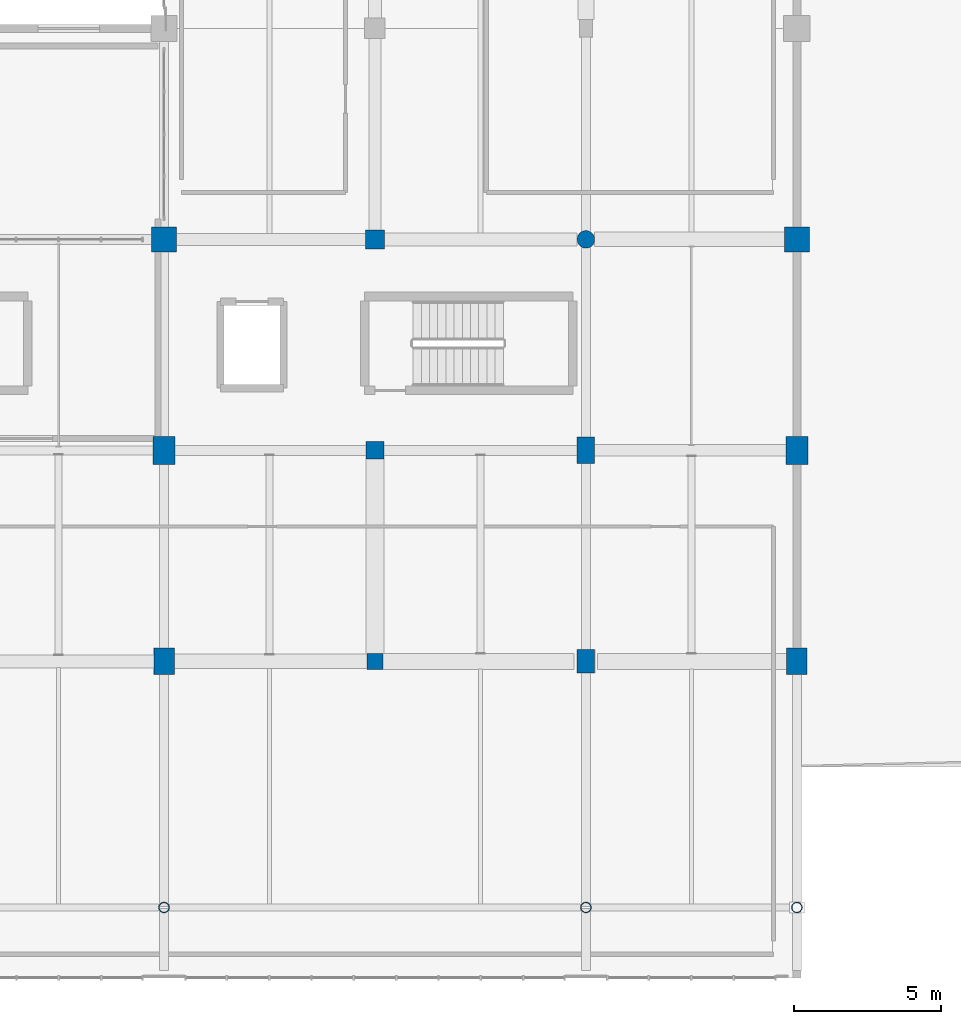
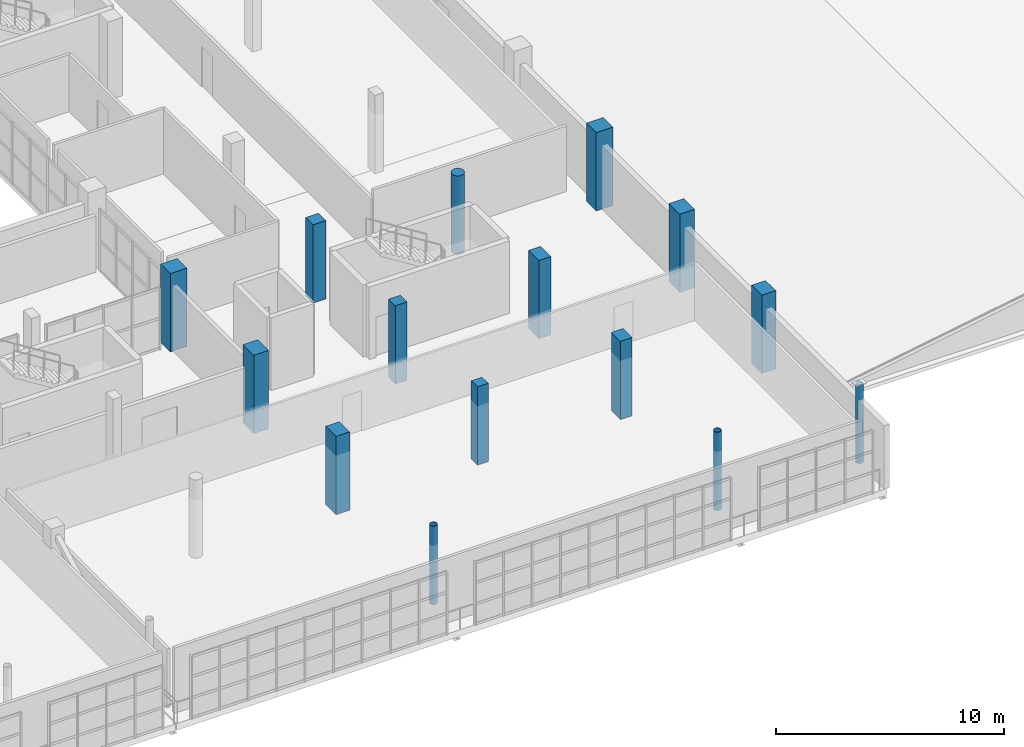
# One storey, part 10 of 90: 15 columns.
"""IFC4 building model written with IfcOpenShell, lengths in metres."""

from ifc_helpers import new_model, si_unit, direction, frame, origin, origin_2d, place, context, subcontext, project, spatial, rectangle, circle, hollow_circle, extrude, material, material_profile, profile_set, type_object, element, save


model = new_model("IFC4")

# Units and contexts
model_context = context("Model", 3, precision=1e-05, world=origin(), true_north=direction((0.0, 1.0)))
body_context = subcontext(model_context, "Body", "Model", "MODEL_VIEW")
ifc_project = project(units=[si_unit("LENGTHUNIT", "METRE"), si_unit("AREAUNIT", "SQUARE_METRE"), si_unit("VOLUMEUNIT", "CUBIC_METRE"), si_unit("PLANEANGLEUNIT", "RADIAN"), si_unit("MASSUNIT", "GRAM", prefix="KILO")], contexts=[model_context])

# Site, building, storey
site_placement = place(None, origin())
site = spatial("IfcSite", under=ifc_project, at=site_placement, CompositionType="ELEMENT")
building_placement = place(site_placement, origin())
building = spatial("IfcBuilding", under=site, at=building_placement, Name="Solanera Park Tramway Depot", CompositionType="ELEMENT")
storey_placement = place(building_placement, frame((0.0, 0.0, 9.0)))
storey = spatial("IfcBuildingStorey", under=building, at=storey_placement, Name="L02", CompositionType="ELEMENT", Elevation=9.0)

# Columns
ifc_material_1 = material(Name="Concrete N40 (C40/50)", Category="concrete")
ifc_material_profile_1 = material_profile(ifc_material_1, rectangle(XDim=0.550048828125, YDim=0.550048828125, at=origin_2d()), Name="RC 550x550")
ifc_profile_set_1 = profile_set([ifc_material_profile_1], Name="Concrete N40 (C40/50)")
column_type_1 = type_object("IfcColumnType", Name="RC Column Ext RC 550x550", PredefinedType="COLUMN", material=ifc_profile_set_1)
column_1_placement = place(storey_placement, frame((172.800048828125, 10.800048828125, 0.0), z_axis=(0.0, 0.0, 1.0), x_axis=(1.0, 0.0, 0.0)))
element("IfcColumn", 1, at=column_1_placement, inside=storey, type_object=column_type_1, Name="L02 Column V4-X1728-Y108", PredefinedType="COLUMN", context=body_context, shape_type="SweptSolid", body=[
    extrude(rectangle(XDim=0.550048828125, YDim=0.550048828125, at=origin_2d()), origin(), (0.0, 0.0, 1.0), 4.199951171875),
])
ifc_material_2 = material(Name="Concrete N40 (C40/50)", Category="concrete")
ifc_material_profile_2 = material_profile(ifc_material_2, rectangle(XDim=0.60009765625, YDim=0.800048828125, at=origin_2d()), Name="RC 600x800")
ifc_profile_set_2 = profile_set([ifc_material_profile_2], Name="Concrete N40 (C40/50)")
column_type_2 = type_object("IfcColumnType", Name="RC Column Ext RC 600x800", PredefinedType="COLUMN", material=ifc_profile_set_2)
column_2_placement = place(storey_placement, frame((180.0, 10.800048828125, 0.0), z_axis=(0.0, 0.0, 1.0), x_axis=(1.0, 0.0, 0.0)))
element("IfcColumn", 2, at=column_2_placement, inside=storey, type_object=column_type_2, Name="L02 Column V4-X1800-Y108", PredefinedType="COLUMN", context=body_context, shape_type="SweptSolid", body=[
    extrude(rectangle(XDim=0.60009765625, YDim=0.800048828125, at=origin_2d()), origin(), (0.0, 0.0, 1.0), 4.199951171875),
])
ifc_material_3 = material(Name="Concrete N40 (C40/50)", Category="concrete")
ifc_material_profile_3 = material_profile(ifc_material_3, rectangle(XDim=0.699951171875, YDim=0.89990234375, at=origin_2d()), Name="RC 700x900")
ifc_profile_set_3 = profile_set([ifc_material_profile_3], Name="Concrete N40 (C40/50)")
column_type_3 = type_object("IfcColumnType", Name="RC Column Ext RC 700x900", PredefinedType="COLUMN", material=ifc_profile_set_3)
for number, where, z_axis, x_axis, name in (
    (3, (165.60009765625, 10.800048828125, 0.0), (0.0, 0.0, 1.0), (1.0, 0.0, 0.0), "L02 Column V4-X1656-Y108"),
    (4, (187.199951171875, 10.800048828125, 0.0), (0.0, 0.0, 1.0), (1.0, 0.0, 0.0), "L02 Column V4-X1872-Y108"),
):
    element("IfcColumn", number, at=place(storey_placement, frame(where, z_axis=z_axis, x_axis=x_axis)), inside=storey, type_object=column_type_3, Name=name, PredefinedType="COLUMN", context=body_context, shape_type="SweptSolid", body=[
        extrude(rectangle(XDim=0.699951171875, YDim=0.89990234375, at=origin_2d()), origin(), (0.0, 0.0, 1.0), 4.199951171875),
    ])
ifc_material_4 = material(Name="Concrete N40 (C40/50)", Category="concrete")
ifc_material_profile_4 = material_profile(ifc_material_4, rectangle(XDim=0.75, YDim=0.949951171875, at=origin_2d()), Name="RC 750x950")
ifc_profile_set_4 = profile_set([ifc_material_profile_4], Name="Concrete N40 (C40/50)")
column_type_4 = type_object("IfcColumnType", Name="RC Column Ext RC 750x950", PredefinedType="COLUMN", material=ifc_profile_set_4)
column_3_placement = place(storey_placement, frame((187.199951171875, 18.0, 0.0), z_axis=(0.0, 0.0, 1.0), x_axis=(1.0, 0.0, 0.0)))
element("IfcColumn", 5, at=column_3_placement, inside=storey, type_object=column_type_4, Name="L02 Column V4-X1872-Y180", PredefinedType="COLUMN", context=body_context, shape_type="SweptSolid", body=[
    extrude(rectangle(XDim=0.75, YDim=0.949951171875, at=origin_2d()), origin(), (0.0, 0.0, 1.0), 4.199951171875),
])
ifc_material_5 = material(Name="Concrete N40 (C40/50)", Category="concrete")
ifc_material_profile_5 = material_profile(ifc_material_5, rectangle(XDim=0.85009765625, YDim=0.85009765625, at=origin_2d()), Name="RC 850x850")
ifc_profile_set_5 = profile_set([ifc_material_profile_5], Name="Concrete N40 (C40/50)")
column_type_5 = type_object("IfcColumnType", Name="RC Column Ext RC 850x850", PredefinedType="COLUMN", material=ifc_profile_set_5)
column_4_placement = place(storey_placement, frame((187.199951171875, 25.199951171875, 0.0), z_axis=(0.0, 0.0, 1.0), x_axis=(1.0, 0.0, 0.0)))
element("IfcColumn", 6, at=column_4_placement, inside=storey, type_object=column_type_5, Name="L02 Column V4-X1872-Y252", PredefinedType="COLUMN", context=body_context, shape_type="SweptSolid", body=[
    extrude(rectangle(XDim=0.85009765625, YDim=0.85009765625, at=origin_2d()), origin(), (0.0, 0.0, 1.0), 4.199951171875),
])
ifc_material_6 = material(Name="Concrete N40 (C40/50)", Category="concrete")
ifc_material_profile_6 = material_profile(ifc_material_6, rectangle(XDim=0.60009765625, YDim=0.60009765625, at=origin_2d()), Name="RC 600x600")
ifc_profile_set_6 = profile_set([ifc_material_profile_6], Name="Concrete N40 (C40/50)")
column_type_6 = type_object("IfcColumnType", Name="RC Column Int RC 600x600", PredefinedType="COLUMN", material=ifc_profile_set_6)
column_5_placement = place(storey_placement, frame((172.800048828125, 18.0, 0.0), z_axis=(0.0, 0.0, 1.0), x_axis=(1.0, 0.0, 0.0)))
element("IfcColumn", 7, at=column_5_placement, inside=storey, type_object=column_type_6, Name="L02 Column V4-X1728-Y180", PredefinedType="COLUMN", context=body_context, shape_type="SweptSolid", body=[
    extrude(rectangle(XDim=0.60009765625, YDim=0.60009765625, at=origin_2d()), origin(), (0.0, 0.0, 1.0), 4.199951171875),
])
ifc_material_7 = material(Name="Concrete N40 (C40/50)", Category="concrete")
ifc_material_profile_7 = material_profile(ifc_material_7, rectangle(XDim=0.60009765625, YDim=0.89990234375, at=origin_2d()), Name="RC 600x900")
ifc_profile_set_7 = profile_set([ifc_material_profile_7], Name="Concrete N40 (C40/50)")
column_type_7 = type_object("IfcColumnType", Name="RC Column Int RC 600x900", PredefinedType="COLUMN", material=ifc_profile_set_7)
column_6_placement = place(storey_placement, frame((180.0, 18.0, 0.0), z_axis=(0.0, 0.0, 1.0), x_axis=(1.0, 0.0, 0.0)))
element("IfcColumn", 8, at=column_6_placement, inside=storey, type_object=column_type_7, Name="L02 Column V4-X1800-Y180", PredefinedType="COLUMN", context=body_context, shape_type="SweptSolid", body=[
    extrude(rectangle(XDim=0.60009765625, YDim=0.89990234375, at=origin_2d()), origin(), (0.0, 0.0, 1.0), 4.199951171875),
])
ifc_material_8 = material(Name="Concrete N40 (C40/50)", Category="concrete")
ifc_material_profile_8 = material_profile(ifc_material_8, rectangle(XDim=0.64990234375, YDim=0.64990234375, at=origin_2d()), Name="RC 650x650")
ifc_profile_set_8 = profile_set([ifc_material_profile_8], Name="Concrete N40 (C40/50)")
column_type_8 = type_object("IfcColumnType", Name="RC Column Int RC 650x650", PredefinedType="COLUMN", material=ifc_profile_set_8)
column_7_placement = place(storey_placement, frame((172.800048828125, 25.199951171875, 0.0), z_axis=(0.0, 0.0, 1.0), x_axis=(1.0, 0.0, 0.0)))
element("IfcColumn", 9, at=column_7_placement, inside=storey, type_object=column_type_8, Name="L02 Column V4-X1728-Y252", PredefinedType="COLUMN", context=body_context, shape_type="SweptSolid", body=[
    extrude(rectangle(XDim=0.64990234375, YDim=0.64990234375, at=origin_2d()), origin(), (0.0, 0.0, 1.0), 4.199951171875),
])
ifc_material_9 = material(Name="Concrete N40 (C40/50)", Category="concrete")
ifc_material_profile_9 = material_profile(ifc_material_9, rectangle(XDim=0.75, YDim=0.949951171875, at=origin_2d()), Name="RC 750x950")
ifc_profile_set_9 = profile_set([ifc_material_profile_9], Name="Concrete N40 (C40/50)")
column_type_9 = type_object("IfcColumnType", Name="RC Column Int RC 750x950", PredefinedType="COLUMN", material=ifc_profile_set_9)
column_8_placement = place(storey_placement, frame((165.60009765625, 18.0, 0.0), z_axis=(0.0, 0.0, 1.0), x_axis=(1.0, 0.0, 0.0)))
element("IfcColumn", 10, at=column_8_placement, inside=storey, type_object=column_type_9, Name="L02 Column V4-X1656-Y180", PredefinedType="COLUMN", context=body_context, shape_type="SweptSolid", body=[
    extrude(rectangle(XDim=0.75, YDim=0.949951171875, at=origin_2d()), origin(), (0.0, 0.0, 1.0), 4.199951171875),
])
ifc_material_10 = material(Name="Concrete N40 (C40/50)", Category="concrete")
ifc_material_profile_10 = material_profile(ifc_material_10, rectangle(XDim=0.85009765625, YDim=0.85009765625, at=origin_2d()), Name="RC 850x850")
ifc_profile_set_10 = profile_set([ifc_material_profile_10], Name="Concrete N40 (C40/50)")
column_type_10 = type_object("IfcColumnType", Name="RC Column Int RC 850x850", PredefinedType="COLUMN", material=ifc_profile_set_10)
column_9_placement = place(storey_placement, frame((165.60009765625, 25.199951171875, 0.0), z_axis=(0.0, 0.0, 1.0), x_axis=(1.0, 0.0, 0.0)))
element("IfcColumn", 11, at=column_9_placement, inside=storey, type_object=column_type_10, Name="L02 Column V4-X1656-Y252", PredefinedType="COLUMN", context=body_context, shape_type="SweptSolid", body=[
    extrude(rectangle(XDim=0.85009765625, YDim=0.85009765625, at=origin_2d()), origin(), (0.0, 0.0, 1.0), 4.199951171875),
])
ifc_material_11 = material(Name="Concrete N40 (C40/50)", Category="concrete")
ifc_material_profile_11 = material_profile(ifc_material_11, circle(Radius=0.300048828125, at=origin_2d()), Name="RC D600")
ifc_profile_set_11 = profile_set([ifc_material_profile_11], Name="Concrete N40 (C40/50)")
column_type_11 = type_object("IfcColumnType", Name="RC Column Int RC D600", PredefinedType="COLUMN", material=ifc_profile_set_11)
column_10_placement = place(storey_placement, frame((180.0, 25.199951171875, 0.0), z_axis=(0.0, 0.0, 1.0), x_axis=(1.0, 0.0, 0.0)))
element("IfcColumn", 12, at=column_10_placement, inside=storey, type_object=column_type_11, Name="L02 Column V4-X1800-Y252", PredefinedType="COLUMN", context=body_context, shape_type="SweptSolid", body=[
    extrude(circle(Radius=0.300048828125, at=origin_2d()), origin(), (0.0, 0.0, 1.0), 4.199951171875),
])
ifc_material_12 = material(Name="Steel AS/NZS 1163 Grade C350L0", Category="steel")
ifc_material_profile_12 = material_profile(ifc_material_12, hollow_circle(Radius=0.177734375, WallThickness=0.0126953125, at=origin_2d()), Name="355.6x12.7 CHS")
ifc_profile_set_12 = profile_set([ifc_material_profile_12], Name="Steel AS/NZS 1163 Grade C350L0")
column_type_12 = type_object("IfcColumnType", Name="Steel Column Ext 355.6x12.7 CHS", PredefinedType="COLUMN", material=ifc_profile_set_12)
column_11_placement = place(storey_placement, frame((187.199951171875, 2.39990234375, 0.0), z_axis=(0.0, 0.0, 1.0), x_axis=(1.0, 0.0, 0.0)))
element("IfcColumn", 13, at=column_11_placement, inside=storey, type_object=column_type_12, Name="L02 Azotea Support Column 2", PredefinedType="COLUMN", context=body_context, shape_type="SweptSolid", body=[
    extrude(hollow_circle(Radius=0.177734375, WallThickness=0.0126953125, at=origin_2d()), origin(), (0.0, 0.0, 1.0), 4.199951171875),
])
ifc_material_13 = material(Name="Steel AS/NZS 1163 Grade C350L0", Category="steel")
ifc_material_profile_13 = material_profile(ifc_material_13, hollow_circle(Radius=0.177734375, WallThickness=0.0126953125, at=origin_2d()), Name="355.6x12.7 CHS")
ifc_profile_set_13 = profile_set([ifc_material_profile_13], Name="Steel AS/NZS 1163 Grade C350L0")
column_type_13 = type_object("IfcColumnType", Name="Steel Column Int 355.6x12.7 CHS", PredefinedType="COLUMN", material=ifc_profile_set_13)
for number, where, z_axis, x_axis, name in (
    (14, (165.60009765625, 2.39990234375, 0.0), (0.0, 0.0, 1.0), (1.0, 0.0, 0.0), "L02 Overhang Transfer Column 05"),
    (15, (180.0, 2.39990234375, 0.0), (0.0, 0.0, 1.0), (1.0, 0.0, 0.0), "L02 Overhang Transfer Column 06"),
):
    element("IfcColumn", number, at=place(storey_placement, frame(where, z_axis=z_axis, x_axis=x_axis)), inside=storey, type_object=column_type_13, Name=name, PredefinedType="COLUMN", context=body_context, shape_type="SweptSolid", body=[
        extrude(hollow_circle(Radius=0.177734375, WallThickness=0.0126953125, at=origin_2d()), origin(), (0.0, 0.0, 1.0), 4.199951171875),
    ])

save(model, "model.ifc")
